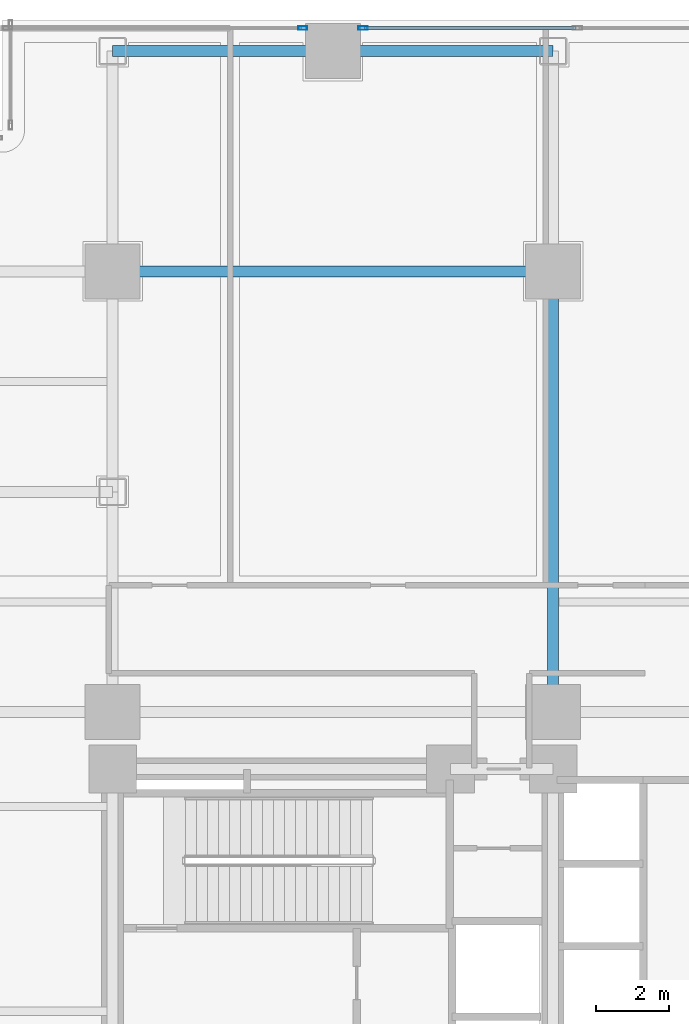
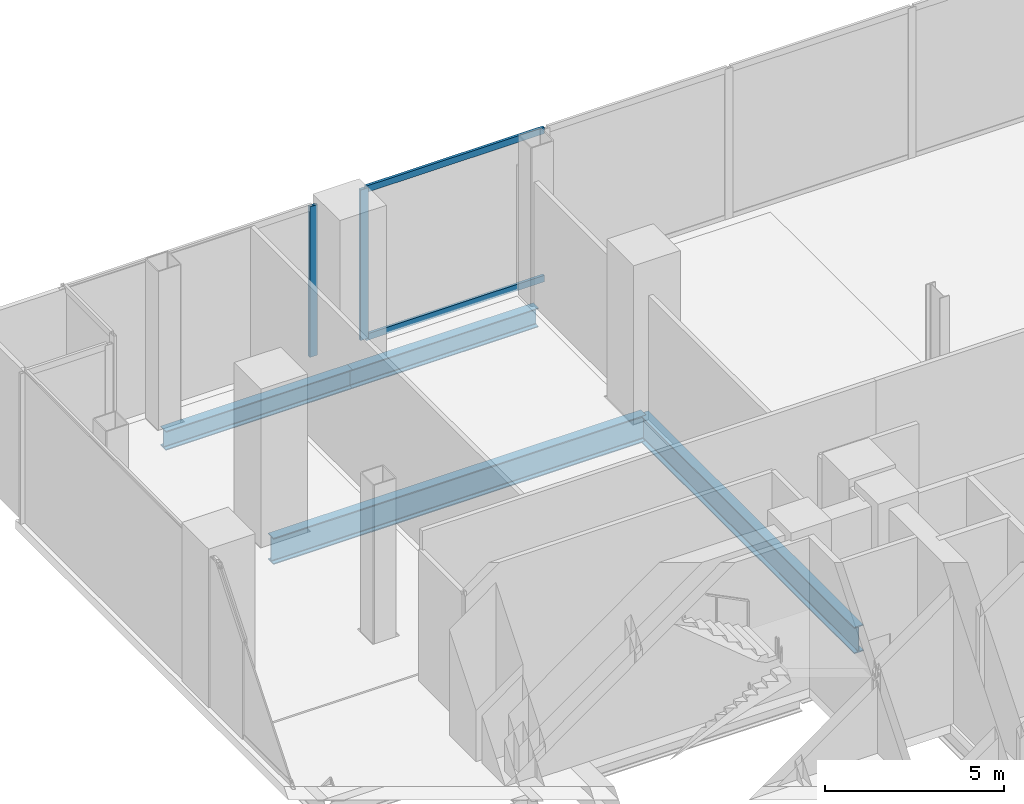
# One storey, part 14 of 27: 4 beams, 4 members, 2 elements without a shape of their own.
"""IFC4 building model written with IfcOpenShell, lengths in metres."""

from ifc_helpers import new_model, si_unit, direction, frame, origin, origin_2d, place, context, subcontext, project, spatial, hollow_rectangle, i_section, extrude, material, layer, layer_set, material_profile, profile_set, type_object, element, aggregate, save


model = new_model("IFC4")

# Units and contexts
model_context = context("Model", 3, precision=1e-05, world=origin(), true_north=direction((0.0, 1.0)))
body_context = subcontext(model_context, "Body", "Model", "MODEL_VIEW")
ifc_project = project(units=[si_unit("LENGTHUNIT", "METRE"), si_unit("AREAUNIT", "SQUARE_METRE"), si_unit("VOLUMEUNIT", "CUBIC_METRE"), si_unit("PLANEANGLEUNIT", "RADIAN"), si_unit("MASSUNIT", "GRAM", prefix="KILO"), si_unit("THERMODYNAMICTEMPERATUREUNIT", "KELVIN"), si_unit("POWERUNIT", "WATT")], contexts=[model_context])

# Site, building, storey
site_placement = place(None, origin())
site = spatial("IfcSite", under=ifc_project, at=site_placement, CompositionType="ELEMENT")
building_placement = place(site_placement, origin())
building = spatial("IfcBuilding", under=site, at=building_placement, Name="Svarakhadi Broadcast Tower", CompositionType="ELEMENT")
storey_placement = place(building_placement, frame((0.0, 0.0, 16.5)))
storey = spatial("IfcBuildingStorey", under=building, at=storey_placement, Name="L03", CompositionType="ELEMENT", Elevation=16.5)

# Curtain wall, member
ifc_material_1 = material(Name="Anodised Bronze Aluminium AA 6063-T6", Category="aluminium")
ifc_layer = layer(ifc_material_1, 0.25)
ifc_layer_set = layer_set([ifc_layer], Name="Anodised Bronze Aluminium AA 6063-T6")
curtain_wall_type = type_object("IfcCurtainWallType", Name="CW_Sys_01", PredefinedType="NOTDEFINED", material=ifc_layer_set)
curtain_wall_1_placement = place(storey_placement, origin())
curtain_wall_1 = element("IfcCurtainWall", 1, at=curtain_wall_1_placement, inside=storey, type_object=curtain_wall_type, Name="L03 Unitised Facade Curtain Wall 05 Bay 1", PredefinedType="NOTDEFINED")
ifc_material_profile_1 = material_profile(ifc_material_1, hollow_rectangle(XDim=0.094970703125, YDim=0.25, WallThickness=0.006103515625, at=origin_2d()), Name="ALU MULLION 250x95x6")
ifc_profile_set_1 = profile_set([ifc_material_profile_1], Name="Anodised Bronze Aluminium AA 6063-T6")
member_type_1 = type_object("IfcMemberType", Name="CW_Sys_01_Mul", PredefinedType="MULLION", material=ifc_profile_set_1)
member_1_placement = place(storey_placement, frame((11.1826171875, 47.780029296875, 0.0), z_axis=(0.0, 0.0, 1.0), x_axis=(0.0, 1.0, 0.0)))
member_1 = element("IfcMember", 2, at=member_1_placement, type_object=member_type_1, Name="CW-01 mullion 2", PredefinedType="MULLION", context=body_context, shape_type="SweptSolid", body=[
    extrude(hollow_rectangle(XDim=0.094970703125, YDim=0.25, WallThickness=0.006103515625, at=origin_2d()), origin(), (0.0, 0.0, 1.0), 5.125),
])
aggregate(curtain_wall_1, [member_1])

# Curtain wall, members
curtain_wall_2_placement = place(storey_placement, origin())
curtain_wall_2 = element("IfcCurtainWall", 3, at=curtain_wall_2_placement, inside=storey, type_object=curtain_wall_type, Name="L03 Unitised Facade Curtain Wall 05 Bay 2", PredefinedType="NOTDEFINED")
member_2_placement = place(storey_placement, frame((12.8173828125, 47.780029296875, 0.0), z_axis=(0.0, 0.0, 1.0), x_axis=(0.0, 1.0, 0.0)))
member_2 = element("IfcMember", 4, at=member_2_placement, type_object=member_type_1, Name="CW-01 mullion 1", PredefinedType="MULLION", context=body_context, shape_type="SweptSolid", body=[
    extrude(hollow_rectangle(XDim=0.094970703125, YDim=0.25, WallThickness=0.006103515625, at=origin_2d()), origin(), (0.0, 0.0, 1.0), 5.125),
])
ifc_material_profile_2 = material_profile(ifc_material_1, hollow_rectangle(XDim=0.0849609375, YDim=0.219970703125, WallThickness=0.0048828125, at=origin_2d()), Name="ALU TRANSOM 220x85x5")
ifc_profile_set_2 = profile_set([ifc_material_profile_2], Name="Anodised Bronze Aluminium AA 6063-T6")
member_type_2 = type_object("IfcMemberType", Name="CW_Sys_01_Trn", PredefinedType="USERDEFINED", material=ifc_profile_set_2)
member_3_placement = place(storey_placement, frame((12.864990234375, 47.780029296875, 0.04248046875), z_axis=(1.0, 0.0, 0.0), x_axis=(0.0, 1.0, 0.0)))
member_3 = element("IfcMember", 5, at=member_3_placement, type_object=member_type_2, Name="CW-01 transom 1.1", ObjectType="TRANSOM", PredefinedType="USERDEFINED", context=body_context, shape_type="SweptSolid", body=[
    extrude(hollow_rectangle(XDim=0.0849609375, YDim=0.219970703125, WallThickness=0.0048828125, at=origin_2d()), origin(), (0.0, 0.0, 1.0), 5.75),
])
member_4_placement = place(storey_placement, frame((12.864990234375, 47.780029296875, 5.08251953125), z_axis=(1.0, 0.0, 0.0), x_axis=(0.0, 1.0, 0.0)))
member_4 = element("IfcMember", 6, at=member_4_placement, type_object=member_type_2, Name="CW-01 transom 1.2", ObjectType="TRANSOM", PredefinedType="USERDEFINED", context=body_context, shape_type="SweptSolid", body=[
    extrude(hollow_rectangle(XDim=0.0849609375, YDim=0.219970703125, WallThickness=0.0048828125, at=origin_2d()), origin(), (0.0, 0.0, 1.0), 5.75),
])
aggregate(curtain_wall_2, [member_2, member_3, member_4])

# Beams
ifc_material_2 = material(Name="Steel S355J2 (IS 2062 E350C)", Category="steel")
ifc_material_profile_3 = material_profile(ifc_material_2, i_section(OverallWidth=0.300048828125, OverallDepth=0.64990234375, WebThickness=0.01611328125, FlangeThickness=0.031005859375, FilletRadius=0.027099609375, at=origin_2d()), Name="WPB 650x300x225")
ifc_profile_set_3 = profile_set([ifc_material_profile_3], Name="Steel S355J2 (IS 2062 E350C)")
beam_type_1 = type_object("IfcBeamType", Name="Girder_WPB650", PredefinedType="USERDEFINED", material=ifc_profile_set_3)
for number, where, z_axis, x_axis, name in (
    (7, (6.0, 47.14990234375, -0.625), (1.0, 0.0, 0.0), (0.0, 1.0, 0.0), "L03 Primary E-W Girder G042"),
    (8, (12.0, 47.14990234375, -0.625), (1.0, 0.0, 0.0), (0.0, 1.0, 0.0), "L03 Primary E-W Girder G043"),
):
    element("IfcBeam", number, at=place(storey_placement, frame(where, z_axis=z_axis, x_axis=x_axis)), inside=storey, type_object=beam_type_1, Name=name, ObjectType="GIRDER", PredefinedType="USERDEFINED", context=body_context, shape_type="SweptSolid", body=[
        extrude(i_section(OverallWidth=0.300048828125, OverallDepth=0.64990234375, WebThickness=0.01611328125, FlangeThickness=0.031005859375, FilletRadius=0.027099609375, at=origin_2d()), origin(), (0.0, 0.0, 1.0), 6.0),
    ])
ifc_material_3 = material(Name="Steel S460ML (IS 2062 E450BR)", Category="steel")
ifc_material_profile_4 = material_profile(ifc_material_3, i_section(OverallWidth=0.300048828125, OverallDepth=0.89990234375, WebThickness=0.0185546875, FlangeThickness=0.034912109375, FilletRadius=0.030029296875, at=origin_2d()), Name="WPB 900x300x291")
ifc_profile_set_4 = profile_set([ifc_material_profile_4], Name="Steel S460ML (IS 2062 E450BR)")
beam_type_2 = type_object("IfcBeamType", Name="Girder_WPB900", PredefinedType="USERDEFINED", material=ifc_profile_set_4)
for number, where, z_axis, x_axis, name in (
    (9, (6.0, 41.14990234375, -0.75), (1.0, 0.0, 0.0), (0.0, 1.0, 0.0), "L03 Primary E-W Girder G041"),
    (10, (18.0, 29.14990234375, -0.75), (0.0, 1.0, 0.0), (-1.0, 0.0, 0.0), "L03 Primary N-S Girder G062"),
):
    element("IfcBeam", number, at=place(storey_placement, frame(where, z_axis=z_axis, x_axis=x_axis)), inside=storey, type_object=beam_type_2, Name=name, ObjectType="GIRDER", PredefinedType="USERDEFINED", context=body_context, shape_type="SweptSolid", body=[
        extrude(i_section(OverallWidth=0.300048828125, OverallDepth=0.89990234375, WebThickness=0.0185546875, FlangeThickness=0.034912109375, FilletRadius=0.030029296875, at=origin_2d()), origin(), (0.0, 0.0, 1.0), 12.0),
    ])

save(model, "model.ifc")
